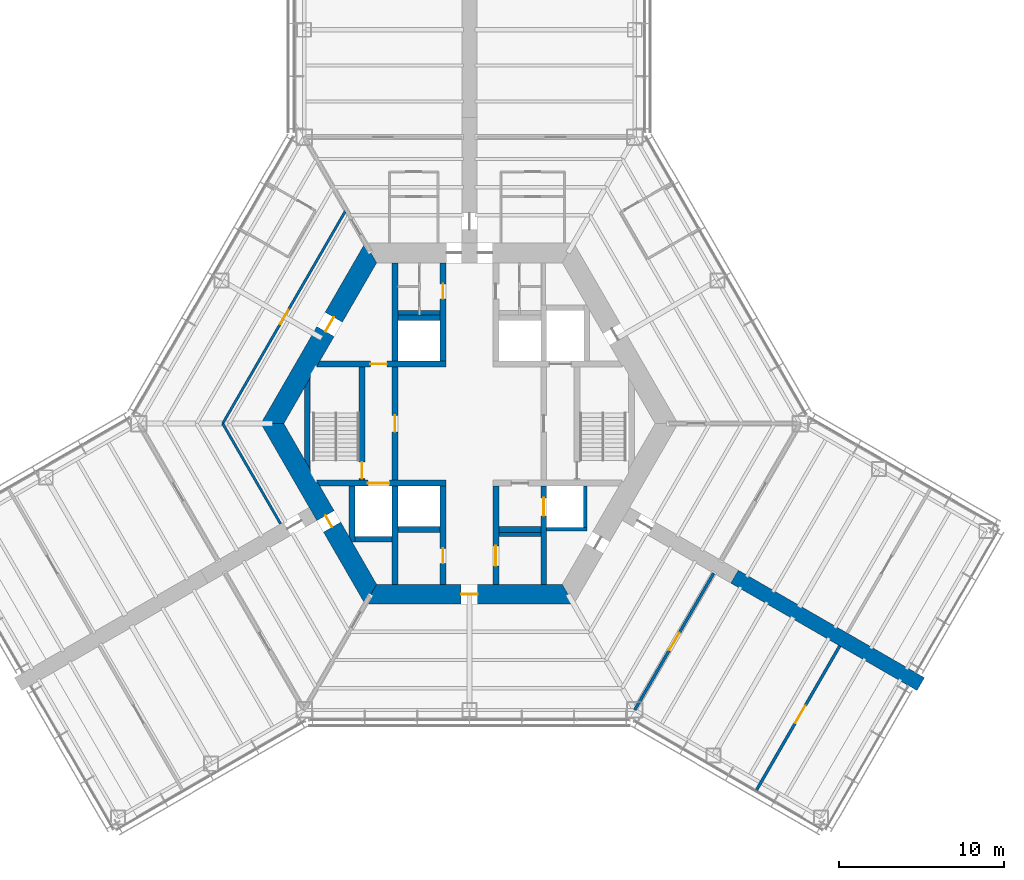
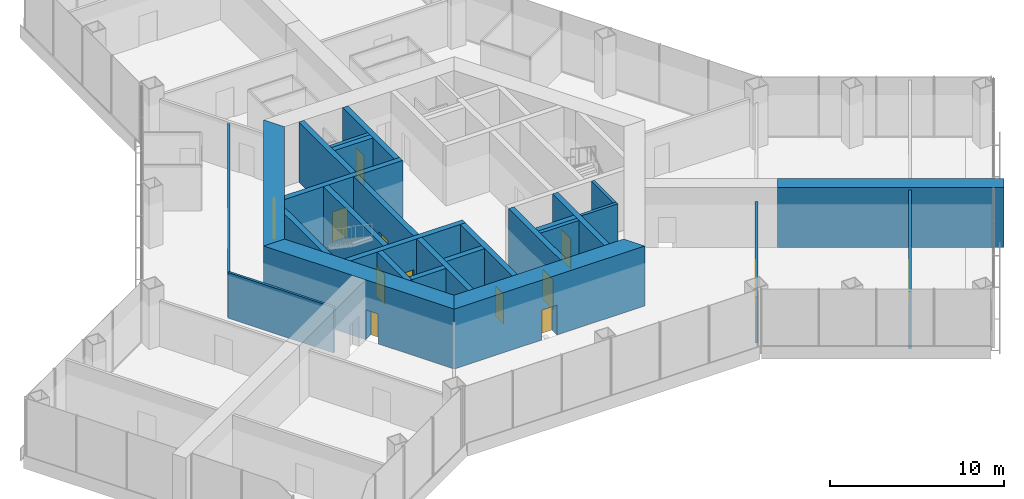
# One storey, part 11 of 16: 28 walls, 14 doors, 14 openings.
"""IFC4 building model written with IfcOpenShell, lengths in metres."""

import ifcopenshell
import ifcopenshell.guid

model = None  # the IFC model being written
_history = None  # IfcOwnerHistory: only IFC2X3 demands one
_inside = {}  # id of a spatial element -> (the spatial element, [elements in it])
_under = {}  # id of a project, library or spatial element -> (it, [spatial elements below it])
_declared = {}  # id of a project -> (the project, [libraries it declares])
_typed = {}  # id of a type object -> (the type object, [elements of that type])
_made_of = {}  # id of a material, layer set ... -> (it, [elements and type objects made of it])


def new_model(schema):
    """Start an empty IFC model of exactly this schema.

    Asked for "IFC4X3", IfcOpenShell would pick the latest addendum, in which some entities
    have other attributes; the version numbers below select the first issue.
    IFC2X3 requires an IfcOwnerHistory on every rooted entity: one is made here for all.
    """
    global model, _history
    if schema == "IFC4X3":
        model = ifcopenshell.file(schema_version=(4, 3, 0, 0))
    else:
        model = ifcopenshell.file(schema=schema)
    _inside.clear()
    _under.clear()
    _declared.clear()
    _typed.clear()
    _made_of.clear()
    _history = None
    if model.schema == "IFC2X3":
        org = make("IfcOrganization", Name="unknown")
        user = make(
            "IfcPersonAndOrganization",
            ThePerson=make("IfcPerson", FamilyName="unknown"),
            TheOrganization=org,
        )
        app = make(
            "IfcApplication",
            ApplicationDeveloper=org,
            Version="unknown",
            ApplicationFullName="unknown",
            ApplicationIdentifier="unknown",
        )
        _history = make(
            "IfcOwnerHistory",
            OwningUser=user,
            OwningApplication=app,
            ChangeAction="ADDED",
            CreationDate=0,
        )
    return model


def make(cls, **values):
    """One entity of the class cls with the attributes given. An attribute that is None is left unset."""
    return model.create_entity(
        cls, **{name: value for name, value in values.items() if value is not None}
    )


def rooted(cls, **values):
    """An entity with a GlobalId (a new one), such as an element, a storey or a relation."""
    return make(cls, GlobalId=ifcopenshell.guid.new(), OwnerHistory=_history, **values)


def si_unit(unit_type, name, prefix=None):
    """IfcSIUnit, for example si_unit("LENGTHUNIT", "METRE", prefix="MILLI")."""
    return make("IfcSIUnit", UnitType=unit_type, Prefix=prefix, Name=name)


def assignment(units):
    """IfcUnitAssignment: the units of a project."""
    return None if units is None else make("IfcUnitAssignment", Units=units)


def point(xyz):
    """IfcCartesianPoint."""
    return None if xyz is None else make("IfcCartesianPoint", Coordinates=xyz)


def direction(xyz):
    """IfcDirection."""
    return None if xyz is None else make("IfcDirection", DirectionRatios=xyz)


def frame(location, z_axis=None, x_axis=None):
    """IfcAxis2Placement3D, a coordinate frame: its origin and axes. An axis left out is left unset."""
    return make(
        "IfcAxis2Placement3D",
        Location=point(location),
        Axis=direction(z_axis),
        RefDirection=direction(x_axis),
    )


def frame_2d(location, x_axis=None):
    """IfcAxis2Placement2D, a coordinate frame in the plane: its origin and x axis."""
    return make(
        "IfcAxis2Placement2D", Location=point(location), RefDirection=direction(x_axis)
    )


def origin():
    """The frame at (0, 0, 0) with its axes left unset."""
    return frame((0.0, 0.0, 0.0))


def place(relative_to, where):
    """IfcLocalPlacement: puts the frame where relative to a parent placement (None: the world)."""
    return make(
        "IfcLocalPlacement", PlacementRelTo=relative_to, RelativePlacement=where
    )


def context(
    kind, dimensions, precision=None, world=None, true_north=None, identifier=None
):
    """IfcGeometricRepresentationContext, for example the 3D "Model" context."""
    return make(
        "IfcGeometricRepresentationContext",
        ContextIdentifier=identifier,
        ContextType=kind,
        CoordinateSpaceDimension=dimensions,
        Precision=precision,
        WorldCoordinateSystem=world,
        TrueNorth=true_north,
    )


def subcontext(parent, identifier, kind, view, scale=None):
    """IfcGeometricRepresentationSubContext, for example "Body" below "Model"."""
    return make(
        "IfcGeometricRepresentationSubContext",
        ContextIdentifier=identifier,
        ContextType=kind,
        ParentContext=parent,
        TargetScale=scale,
        TargetView=view,
    )


def project(units=None, contexts=None):
    """IfcProject with its units and contexts."""
    return rooted(
        "IfcProject",
        Name="project",
        RepresentationContexts=contexts,
        UnitsInContext=assignment(units),
    )


def spatial(cls, under=None, at=None, **own):
    """A site, building, storey or space (cls), placed at a placement, below another one or the project."""
    s = rooted(cls, ObjectPlacement=at, **own)
    if under is not None:
        _under.setdefault(under.id(), (under, []))[1].append(s)
    return s


def polyline(points):
    """IfcPolyline through the points."""
    return make("IfcPolyline", Points=[point(p) for p in points])


def profile(cls, at=None, kind="AREA", **sizes):
    """A parametric profile (cls). Its sizes go by their IFC names, for example OverallWidth=200.0."""
    return make(cls, ProfileType=kind, Position=at, **sizes)


def rectangle(**sizes):
    """IfcRectangleProfileDef."""
    return profile("IfcRectangleProfileDef", **sizes)


def outline(outer, holes=None, kind="AREA"):
    """IfcArbitraryClosedProfileDef: a profile drawn as a closed curve; with holes, ...WithVoids."""
    if holes is None:
        return make("IfcArbitraryClosedProfileDef", ProfileType=kind, OuterCurve=outer)
    return make(
        "IfcArbitraryProfileDefWithVoids",
        ProfileType=kind,
        OuterCurve=outer,
        InnerCurves=holes,
    )


def extrude(swept, where, along, depth):
    """IfcExtrudedAreaSolid: the profile swept, set in the frame where, extruded along a direction by depth."""
    return make(
        "IfcExtrudedAreaSolid",
        SweptArea=swept,
        Position=where,
        ExtrudedDirection=direction(along),
        Depth=depth,
    )


def shape(context_of_items, identifier, shape_type, items):
    """IfcShapeRepresentation: the items that make up one representation, for example the "Body"."""
    return make(
        "IfcShapeRepresentation",
        ContextOfItems=context_of_items,
        RepresentationIdentifier=identifier,
        RepresentationType=shape_type,
        Items=items,
    )


def material(Name=None, Category=None):
    """IfcMaterial."""
    return make("IfcMaterial", Name=Name, Category=Category)


def layer(
    of_material, thickness, ventilated=None, Name=None, Category=None, Priority=None
):
    """IfcMaterialLayer: one layer of a wall or slab, of a material (None: an air gap)."""
    return make(
        "IfcMaterialLayer",
        Material=of_material,
        LayerThickness=thickness,
        IsVentilated=ventilated,
        Name=Name,
        Category=Category,
        Priority=Priority,
    )


def layer_set(layers, Name=None):
    """IfcMaterialLayerSet."""
    return make("IfcMaterialLayerSet", MaterialLayers=layers, LayerSetName=Name)


def made_of(thing, what):
    """Note that an element or type object is made of a material, layer set ...; save() writes the relation."""
    if what is not None:
        _made_of.setdefault(what.id(), (what, []))[1].append(thing)
    return thing


def type_object(cls, material=None, **own):
    """A type object (cls), such as IfcWallType, which elements share."""
    return made_of(rooted(cls, **own), material)


def element(
    cls,
    number,
    at=None,
    inside=None,
    cuts=None,
    type_object=None,
    material=None,
    context=None,
    identifier="Body",
    shape_type=None,
    held_by="IfcProductDefinitionShape",
    body=None,
    shapes=None,
    **own,
):
    """One element of the class cls, such as IfcWall. Its Tag is "e" and its number.

    at: its placement. inside: the storey or other place that contains it. cuts: it is an
    opening in that element (IfcRelVoidsElement). A single representation is given by context,
    identifier, shape_type and body (its items); several are given by shapes. held_by: the class
    of the entity that holds the representations. save() writes the other relations.
    """
    e = rooted(cls, Tag="e%d" % number, ObjectPlacement=at, **own)
    if body is not None:
        shapes = [shape(context, identifier, shape_type, body)]
    if shapes is not None:
        e.Representation = make(held_by, Representations=shapes)
    if inside is not None:
        _inside.setdefault(inside.id(), (inside, []))[1].append(e)
    if cuts is not None:
        rooted(
            "IfcRelVoidsElement", RelatingBuildingElement=cuts, RelatedOpeningElement=e
        )
    if type_object is not None:
        _typed.setdefault(type_object.id(), (type_object, []))[1].append(e)
    return made_of(e, material)


def fill(opening, filler):
    """IfcRelFillsElement: the door or window that sits in an opening."""
    return rooted(
        "IfcRelFillsElement",
        RelatingOpeningElement=opening,
        RelatedBuildingElement=filler,
    )


def aggregate(whole, parts):
    """IfcRelAggregates: a whole, such as a stair, and the parts it consists of."""
    return rooted("IfcRelAggregates", RelatingObject=whole, RelatedObjects=parts)


def save(model, path):
    """Write the relations noted so far, then the file.

    IfcRelAggregates (storeys below a building ...), IfcRelContainedInSpatialStructure (elements
    in a storey), IfcRelDefinesByType, IfcRelAssociatesMaterial and IfcRelDeclares: one each for
    every whole, place, type object, material and project.
    """
    for whole, parts in _under.values():
        aggregate(whole, parts)
    for where, things in _inside.values():
        rooted(
            "IfcRelContainedInSpatialStructure",
            RelatedElements=things,
            RelatingStructure=where,
        )
    for kind, things in _typed.values():
        rooted("IfcRelDefinesByType", RelatedObjects=things, RelatingType=kind)
    for what, things in _made_of.values():
        rooted("IfcRelAssociatesMaterial", RelatedObjects=things, RelatingMaterial=what)
    for by, libraries in _declared.values():
        rooted("IfcRelDeclares", RelatingContext=by, RelatedDefinitions=libraries)
    model.write(path)


model = new_model("IFC4")

# Units and contexts
model_context = context("Model", 3, precision=1e-05, world=origin(), true_north=direction((0.0, 1.0)))
body_context = subcontext(model_context, "Body", "Model", "MODEL_VIEW")
ifc_project = project(units=[si_unit("LENGTHUNIT", "METRE"), si_unit("AREAUNIT", "SQUARE_METRE"), si_unit("VOLUMEUNIT", "CUBIC_METRE"), si_unit("PLANEANGLEUNIT", "RADIAN"), si_unit("MASSUNIT", "GRAM", prefix="KILO")], contexts=[model_context])

# Site, building, storey
site_placement = place(None, origin())
site = spatial("IfcSite", under=ifc_project, at=site_placement, CompositionType="ELEMENT")
building_placement = place(site_placement, origin())
building = spatial("IfcBuilding", under=site, at=building_placement, Name="Kasaneha Research Tower", CompositionType="ELEMENT")
storey_placement = place(building_placement, frame((0.0, 0.0, 14.199951171875)))
storey = spatial("IfcBuildingStorey", under=building, at=storey_placement, Name="L04", CompositionType="ELEMENT", Elevation=14.199951171875)

# Wall, opening, door
ifc_material_1 = material(Name="Concrete Fc100", Category="concrete")
ifc_layer_1 = layer(ifc_material_1, 0.35009765625)
ifc_layer_set_1 = layer_set([ifc_layer_1], Name="Core internal wall 350 Fc100")
wall_type_1 = type_object("IfcWallType", Name="Core internal wall 350 Fc100", PredefinedType="SHEAR", material=ifc_layer_set_1)
wall_1_placement = place(storey_placement, frame((-9.151123046875, 3.60009765625, 0.0), z_axis=(0.0, 0.0, 1.0), x_axis=(1.0, 0.0, 0.0)))
wall_1 = element("IfcWall", 1, at=wall_1_placement, inside=storey, type_object=wall_type_1, Name="Core wall W1W L04", PredefinedType="SHEAR", context=body_context, shape_type="SweptSolid", body=[
    extrude(outline(polyline([(-0.10107421875, -0.175048828125), (3.151123046875, -0.175048828125), (4.151123046875, -0.175048828125), (7.72607421875, -0.175048828125), (7.72607421875, 0.175048828125), (4.151123046875, 0.175048828125), (3.151123046875, 0.175048828125), (0.10107421875, 0.175048828125), (-0.10107421875, -0.175048828125)])), origin(), (0.0, 0.0, 1.0), 4.199951171875),
])
opening_1_placement = place(wall_1_placement, frame((3.151123046875, 0.0, 0.0)))
opening_1 = element("IfcOpeningElement", 2, at=opening_1_placement, cuts=wall_1, Name="Opening L04-D12", PredefinedType="OPENING", context=body_context, shape_type="SweptSolid", body=[
    extrude(rectangle(XDim=1.0, YDim=2.10009765625, at=frame_2d((0.5, 1.050048828125))), frame((0.0, 0.18505859375, 0.0), z_axis=(0.0, -1.0, 0.0), x_axis=(1.0, 0.0, 0.0)), (0.0, 0.0, 1.0), 0.3701171875),
])
ifc_material_2 = material(Name="Steel", Category="steel")
door_type_1 = type_object("IfcDoorType", Name="Specified fire door FD60 1000x2100", OperationType="NOTDEFINED", PredefinedType="DOOR", material=ifc_material_2)
door_1_placement = place(opening_1_placement, origin())
door_1 = element("IfcDoor", 3, at=door_1_placement, inside=storey, type_object=door_type_1, Name="Vestibule to lobby door L04-D12", OperationType="SINGLE_SWING_LEFT", OverallHeight=2.10009765625, OverallWidth=1.0, PredefinedType="DOOR", context=body_context, shape_type="SweptSolid", body=[
    extrude(rectangle(XDim=1.0, YDim=2.10009765625, at=frame_2d((0.5, 1.050048828125))), frame((0.0, 0.02490234375, 0.0), z_axis=(0.0, -1.0, 0.0), x_axis=(1.0, 0.0, 0.0)), (0.0, 0.0, 1.0), 0.050048828125),
])
fill(opening_1, door_1)

wall_2_placement = place(storey_placement, frame((-9.151123046875, -3.60009765625, 0.0), z_axis=(0.0, 0.0, 1.0), x_axis=(1.0, 0.0, 0.0)))
wall_2 = element("IfcWall", 4, at=wall_2_placement, inside=storey, type_object=wall_type_1, Name="Core wall W2W L04", PredefinedType="SHEAR", context=body_context, shape_type="SweptSolid", body=[
    extrude(outline(polyline([(0.10107421875, -0.175048828125), (3.0009765625, -0.175048828125), (4.301025390625, -0.175048828125), (7.72607421875, -0.175048828125), (7.72607421875, 0.175048828125), (4.301025390625, 0.175048828125), (3.0009765625, 0.175048828125), (-0.10107421875, 0.175048828125), (0.10107421875, -0.175048828125)])), origin(), (0.0, 0.0, 1.0), 4.199951171875),
])
opening_2_placement = place(wall_2_placement, frame((3.0009765625, 0.0, 0.0)))
opening_2 = element("IfcOpeningElement", 5, at=opening_2_placement, cuts=wall_2, Name="Opening LD-FL2-L04", PredefinedType="OPENING", context=body_context, shape_type="SweptSolid", body=[
    extrude(rectangle(XDim=1.300048828125, YDim=2.10009765625, at=frame_2d((0.64990234375, 1.050048828125))), frame((0.0, 0.18505859375, 0.0), z_axis=(0.0, -1.0, 0.0), x_axis=(1.0, 0.0, 0.0)), (0.0, 0.0, 1.0), 0.3701171875),
])
ifc_material_3 = material(Name="Steel", Category="steel")
door_type_2 = type_object("IfcDoorType", Name="Lift landing door 1300x2100", OperationType="DOUBLE_DOOR_SLIDING", PredefinedType="DOOR", material=ifc_material_3)
door_2_placement = place(opening_2_placement, origin())
door_2 = element("IfcDoor", 6, at=door_2_placement, inside=storey, type_object=door_type_2, Name="Landing door FL2 LD-FL2-L04", OperationType="DOUBLE_DOOR_SLIDING", OverallHeight=2.10009765625, OverallWidth=1.300048828125, PredefinedType="DOOR", context=body_context, shape_type="SweptSolid", body=[
    extrude(rectangle(XDim=1.300048828125, YDim=2.10009765625, at=frame_2d((0.64990234375, 1.050048828125))), frame((0.0, 0.02490234375, 0.0), z_axis=(0.0, -1.0, 0.0), x_axis=(1.0, 0.0, 0.0)), (0.0, 0.0, 1.0), 0.050048828125),
])
fill(opening_2, door_2)

wall_3_placement = place(storey_placement, frame((-1.60009765625, 3.77490234375, 0.0), z_axis=(0.0, 0.0, 1.0), x_axis=(0.0, 1.0, 0.0)))
wall_3 = element("IfcWall", 7, at=wall_3_placement, inside=storey, type_object=wall_type_1, Name="Core wall CNW L04", PredefinedType="SHEAR", context=body_context, shape_type="SweptSolid", body=[
    extrude(rectangle(XDim=5.9501953125, YDim=0.35009765625, at=frame_2d((2.97509765625, 0.0))), origin(), (0.0, 0.0, 1.0), 4.199951171875),
])
opening_3_placement = place(wall_3_placement, frame((3.77490234375, 0.0, 0.0)))
opening_3 = element("IfcOpeningElement", 8, at=opening_3_placement, cuts=wall_3, Name="Opening L04-D13", PredefinedType="OPENING", context=body_context, shape_type="SweptSolid", body=[
    extrude(rectangle(XDim=0.89990234375, YDim=2.10009765625, at=frame_2d((0.449951171875, 1.050048828125))), frame((0.0, 0.18505859375, 0.0), z_axis=(0.0, -1.0, 0.0), x_axis=(1.0, 0.0, 0.0)), (0.0, 0.0, 1.0), 0.3701171875),
])
ifc_material_4 = material(Name="Steel", Category="steel")
door_type_3 = type_object("IfcDoorType", Name="Toilet door FD20 900x2100", OperationType="NOTDEFINED", PredefinedType="DOOR", material=ifc_material_4)
door_3_placement = place(opening_3_placement, origin())
door_3 = element("IfcDoor", 9, at=door_3_placement, inside=storey, type_object=door_type_3, Name="Men's WC door L04-D13", OperationType="SINGLE_SWING_LEFT", OverallHeight=2.10009765625, OverallWidth=0.89990234375, PredefinedType="DOOR", context=body_context, shape_type="SweptSolid", body=[
    extrude(rectangle(XDim=0.89990234375, YDim=2.10009765625, at=frame_2d((0.449951171875, 1.050048828125))), frame((0.0, 0.02490234375, 0.0), z_axis=(0.0, -1.0, 0.0), x_axis=(1.0, 0.0, 0.0)), (0.0, 0.0, 1.0), 0.050048828125),
])
fill(opening_3, door_3)

wall_4_placement = place(storey_placement, frame((-1.60009765625, -3.77490234375, 0.0), z_axis=(0.0, 0.0, 1.0), x_axis=(0.0, -1.0, 0.0)))
wall_4 = element("IfcWall", 10, at=wall_4_placement, inside=storey, type_object=wall_type_1, Name="Core wall CSW L04", PredefinedType="SHEAR", context=body_context, shape_type="SweptSolid", body=[
    extrude(rectangle(XDim=5.9501953125, YDim=0.35009765625, at=frame_2d((2.97509765625, 0.0))), origin(), (0.0, 0.0, 1.0), 4.199951171875),
])
opening_4_placement = place(wall_4_placement, frame((3.77490234375, 0.0, 0.0)))
opening_4 = element("IfcOpeningElement", 11, at=opening_4_placement, cuts=wall_4, Name="Opening L04-D16", PredefinedType="OPENING", context=body_context, shape_type="SweptSolid", body=[
    extrude(rectangle(XDim=0.89990234375, YDim=2.10009765625, at=frame_2d((0.449951171875, 1.050048828125))), frame((0.0, 0.18505859375, 0.0), z_axis=(0.0, -1.0, 0.0), x_axis=(1.0, 0.0, 0.0)), (0.0, 0.0, 1.0), 0.3701171875),
])
ifc_material_5 = material(Name="Steel", Category="steel")
door_type_4 = type_object("IfcDoorType", Name="Riser access door FD60 900x2100", OperationType="NOTDEFINED", PredefinedType="DOOR", material=ifc_material_5)
door_4_placement = place(opening_4_placement, origin())
door_4 = element("IfcDoor", 12, at=door_4_placement, inside=storey, type_object=door_type_4, Name="Electrical riser door L04-D16", OperationType="SINGLE_SWING_LEFT", OverallHeight=2.10009765625, OverallWidth=0.89990234375, PredefinedType="DOOR", context=body_context, shape_type="SweptSolid", body=[
    extrude(rectangle(XDim=0.89990234375, YDim=2.10009765625, at=frame_2d((0.449951171875, 1.050048828125))), frame((0.0, 0.02490234375, 0.0), z_axis=(0.0, -1.0, 0.0), x_axis=(1.0, 0.0, 0.0)), (0.0, 0.0, 1.0), 0.050048828125),
])
fill(opening_4, door_4)

wall_5_placement = place(storey_placement, frame((1.60009765625, -3.77490234375, 0.0), z_axis=(0.0, 0.0, 1.0), x_axis=(0.0, -1.0, 0.0)))
wall_5 = element("IfcWall", 13, at=wall_5_placement, inside=storey, type_object=wall_type_1, Name="Core wall CSE L04", PredefinedType="SHEAR", context=body_context, shape_type="SweptSolid", body=[
    extrude(rectangle(XDim=5.9501953125, YDim=0.35009765625, at=frame_2d((2.97509765625, 0.0))), origin(), (0.0, 0.0, 1.0), 4.199951171875),
])
opening_5_placement = place(wall_5_placement, frame((3.625, 0.0, 0.0)))
opening_5 = element("IfcOpeningElement", 14, at=opening_5_placement, cuts=wall_5, Name="Opening L04-D15", PredefinedType="OPENING", context=body_context, shape_type="SweptSolid", body=[
    extrude(rectangle(XDim=1.199951171875, YDim=2.10009765625, at=frame_2d((0.60009765625, 1.050048828125))), frame((0.0, 0.18505859375, 0.0), z_axis=(0.0, -1.0, 0.0), x_axis=(1.0, 0.0, 0.0)), (0.0, 0.0, 1.0), 0.3701171875),
])
ifc_material_6 = material(Name="Steel", Category="steel")
door_type_5 = type_object("IfcDoorType", Name="Accessible toilet sliding door FD20 1200x2100", OperationType="SLIDING_TO_LEFT", PredefinedType="DOOR", material=ifc_material_6)
door_5_placement = place(opening_5_placement, origin())
door_5 = element("IfcDoor", 15, at=door_5_placement, inside=storey, type_object=door_type_5, Name="Accessible WC door L04-D15", OperationType="SLIDING_TO_LEFT", OverallHeight=2.10009765625, OverallWidth=1.199951171875, PredefinedType="DOOR", context=body_context, shape_type="SweptSolid", body=[
    extrude(rectangle(XDim=1.199951171875, YDim=2.10009765625, at=frame_2d((0.60009765625, 1.050048828125))), frame((0.0, 0.02490234375, 0.0), z_axis=(0.0, -1.0, 0.0), x_axis=(1.0, 0.0, 0.0)), (0.0, 0.0, 1.0), 0.050048828125),
])
fill(opening_5, door_5)

wall_6_placement = place(storey_placement, frame((-4.5, -3.425048828125, 0.0), z_axis=(0.0, 0.0, 1.0), x_axis=(0.0, 1.0, 0.0)))
wall_6 = element("IfcWall", 16, at=wall_6_placement, inside=storey, type_object=wall_type_1, Name="Core wall LBW L04", PredefinedType="SHEAR", context=body_context, shape_type="SweptSolid", body=[
    extrude(rectangle(XDim=6.85009765625, YDim=0.35009765625, at=frame_2d((3.425048828125, 0.0))), origin(), (0.0, 0.0, 1.0), 4.199951171875),
])
opening_6_placement = place(wall_6_placement, frame((2.925048828125, 0.0, 0.0)))
opening_6 = element("IfcOpeningElement", 17, at=opening_6_placement, cuts=wall_6, Name="Opening L04-D09", PredefinedType="OPENING", context=body_context, shape_type="SweptSolid", body=[
    extrude(rectangle(XDim=1.0, YDim=2.10009765625, at=frame_2d((0.5, 1.050048828125))), frame((0.0, 0.18505859375, 0.0), z_axis=(0.0, -1.0, 0.0), x_axis=(1.0, 0.0, 0.0)), (0.0, 0.0, 1.0), 0.3701171875),
])
door_6_placement = place(opening_6_placement, origin())
door_6 = element("IfcDoor", 18, at=door_6_placement, inside=storey, type_object=door_type_1, Name="Lift lobby door west L04-D09", OperationType="SINGLE_SWING_LEFT", OverallHeight=2.10009765625, OverallWidth=1.0, PredefinedType="DOOR", context=body_context, shape_type="SweptSolid", body=[
    extrude(rectangle(XDim=1.0, YDim=2.10009765625, at=frame_2d((0.5, 1.050048828125))), frame((0.0, 0.02490234375, 0.0), z_axis=(0.0, -1.0, 0.0), x_axis=(1.0, 0.0, 0.0)), (0.0, 0.0, 1.0), 0.050048828125),
])
fill(opening_6, door_6)

wall_7_placement = place(storey_placement, frame((-6.5, -3.425048828125, 0.0), z_axis=(0.0, 0.0, 1.0), x_axis=(0.0, 1.0, 0.0)))
wall_7 = element("IfcWall", 19, at=wall_7_placement, inside=storey, type_object=wall_type_1, Name="Core wall ANW L04", PredefinedType="SHEAR", context=body_context, shape_type="SweptSolid", body=[
    extrude(rectangle(XDim=6.85009765625, YDim=0.35009765625, at=frame_2d((3.425048828125, 0.0))), origin(), (0.0, 0.0, 1.0), 4.199951171875),
])
opening_7_placement = place(wall_7_placement, frame((0.10009765625, 0.0, 0.0)))
opening_7 = element("IfcOpeningElement", 20, at=opening_7_placement, cuts=wall_7, Name="Opening L04-D11", PredefinedType="OPENING", context=body_context, shape_type="SweptSolid", body=[
    extrude(rectangle(XDim=1.0, YDim=2.10009765625, at=frame_2d((0.5, 1.050048828125))), frame((0.0, 0.18505859375, 0.0), z_axis=(0.0, -1.0, 0.0), x_axis=(1.0, 0.0, 0.0)), (0.0, 0.0, 1.0), 0.3701171875),
])
door_7_placement = place(opening_7_placement, origin())
door_7 = element("IfcDoor", 21, at=door_7_placement, inside=storey, type_object=door_type_1, Name="Stair 2 door L04-D11", OperationType="SINGLE_SWING_LEFT", OverallHeight=2.10009765625, OverallWidth=1.0, PredefinedType="DOOR", context=body_context, shape_type="SweptSolid", body=[
    extrude(rectangle(XDim=1.0, YDim=2.10009765625, at=frame_2d((0.5, 1.050048828125))), frame((0.0, 0.02490234375, 0.0), z_axis=(0.0, -1.0, 0.0), x_axis=(1.0, 0.0, 0.0)), (0.0, 0.0, 1.0), 0.050048828125),
])
fill(opening_7, door_7)

# Walls
for number, where, z_axis, x_axis, name in (
    (22, (-4.5, 3.77490234375, 0.0), (0.0, 0.0, 1.0), (0.0, 1.0, 0.0), "Core wall VNW L04"),
    (23, (-4.5, -3.77490234375, 0.0), (0.0, 0.0, 1.0), (0.0, -1.0, 0.0), "Core wall SSW L04"),
):
    element("IfcWall", number, at=place(storey_placement, frame(where, z_axis=z_axis, x_axis=x_axis)), inside=storey, type_object=wall_type_1, Name=name, PredefinedType="SHEAR", context=body_context, shape_type="SweptSolid", body=[
        extrude(rectangle(XDim=5.9501953125, YDim=0.35009765625, at=frame_2d((2.97509765625, 0.0))), origin(), (0.0, 0.0, 1.0), 4.199951171875),
    ])

# Wall, opening, door
wall_8_placement = place(storey_placement, frame((4.5, -3.77490234375, 0.0), z_axis=(0.0, 0.0, 1.0), x_axis=(0.0, -1.0, 0.0)))
wall_8 = element("IfcWall", 24, at=wall_8_placement, inside=storey, type_object=wall_type_1, Name="Core wall SSE L04", PredefinedType="SHEAR", context=body_context, shape_type="SweptSolid", body=[
    extrude(rectangle(XDim=5.9501953125, YDim=0.35009765625, at=frame_2d((2.97509765625, 0.0))), origin(), (0.0, 0.0, 1.0), 4.199951171875),
])
opening_8_placement = place(wall_8_placement, frame((0.71240234375, 0.0, 0.0)))
opening_8 = element("IfcOpeningElement", 25, at=opening_8_placement, cuts=wall_8, Name="Opening LD-PL1-L04", PredefinedType="OPENING", context=body_context, shape_type="SweptSolid", body=[
    extrude(rectangle(XDim=1.10009765625, YDim=2.10009765625, at=frame_2d((0.550048828125, 1.050048828125))), frame((0.0, 0.18505859375, 0.0), z_axis=(0.0, -1.0, 0.0), x_axis=(1.0, 0.0, 0.0)), (0.0, 0.0, 1.0), 0.3701171875),
])
ifc_material_7 = material(Name="Steel", Category="steel")
door_type_6 = type_object("IfcDoorType", Name="Lift landing door 1100x2100", OperationType="DOUBLE_DOOR_SLIDING", PredefinedType="DOOR", material=ifc_material_7)
door_8_placement = place(opening_8_placement, origin())
door_8 = element("IfcDoor", 26, at=door_8_placement, inside=storey, type_object=door_type_6, Name="Landing door PL1 LD-PL1-L04", OperationType="DOUBLE_DOOR_SLIDING", OverallHeight=2.10009765625, OverallWidth=1.10009765625, PredefinedType="DOOR", context=body_context, shape_type="SweptSolid", body=[
    extrude(rectangle(XDim=1.10009765625, YDim=2.10009765625, at=frame_2d((0.550048828125, 1.050048828125))), frame((0.0, 0.02490234375, 0.0), z_axis=(0.0, -1.0, 0.0), x_axis=(1.0, 0.0, 0.0)), (0.0, 0.0, 1.0), 0.050048828125),
])
fill(opening_8, door_8)

# Walls
for number, where, z_axis, x_axis, name in (
    (27, (-4.324951171875, 6.39990234375, 0.0), (0.0, 0.0, 1.0), (1.0, 0.0, 0.0), "Core wall N1N L04"),
    (28, (-4.324951171875, -6.39990234375, 0.0), (0.0, 0.0, 1.0), (1.0, 0.0, 0.0), "Core wall S1S L04"),
    (29, (1.77490234375, -6.39990234375, 0.0), (0.0, 0.0, 1.0), (1.0, 0.0, 0.0), "Core wall S3S L04"),
):
    element("IfcWall", number, at=place(storey_placement, frame(where, z_axis=z_axis, x_axis=x_axis)), inside=storey, type_object=wall_type_1, Name=name, PredefinedType="SHEAR", context=body_context, shape_type="SweptSolid", body=[
        extrude(rectangle(XDim=2.550048828125, YDim=0.35009765625, at=frame_2d((1.27490234375, 0.0))), origin(), (0.0, 0.0, 1.0), 4.199951171875),
    ])
wall_9_placement = place(storey_placement, frame((-6.925048828125, -7.0, 0.0), z_axis=(0.0, 0.0, 1.0), x_axis=(1.0, 0.0, 0.0)))
element("IfcWall", 30, at=wall_9_placement, inside=storey, type_object=wall_type_1, Name="Core wall F2S L04", PredefinedType="SHEAR", context=body_context, shape_type="SweptSolid", body=[
    extrude(rectangle(XDim=2.25, YDim=0.35009765625, at=frame_2d((1.125, 0.0))), origin(), (0.0, 0.0, 1.0), 4.199951171875),
])
wall_10_placement = place(storey_placement, frame((-7.10009765625, -3.77490234375, 0.0), z_axis=(0.0, 0.0, 1.0), x_axis=(0.0, -1.0, 0.0)))
element("IfcWall", 31, at=wall_10_placement, inside=storey, type_object=wall_type_1, Name="Core wall F2W L04", PredefinedType="SHEAR", context=body_context, shape_type="SweptSolid", body=[
    extrude(outline(polyline([(0.0, -0.175048828125), (3.07421875, -0.175048828125), (3.37744140625, 0.0), (3.39990234375, 0.175048828125), (0.0, 0.175048828125), (0.0, -0.175048828125)])), origin(), (0.0, 0.0, 1.0), 4.199951171875),
])
wall_11_placement = place(storey_placement, frame((-9.807861328125, -2.462158203125, 0.0), z_axis=(0.0, 0.0, 1.0), x_axis=(0.0, 1.0, 0.0)))
element("IfcWall", 32, at=wall_11_placement, inside=storey, type_object=wall_type_1, Name="Core wall STW L04", PredefinedType="SHEAR", context=body_context, shape_type="SweptSolid", body=[
    extrude(outline(polyline([(-0.30322265625, -0.175048828125), (5.2275390625, -0.175048828125), (4.62109375, 0.175048828125), (0.30322265625, 0.175048828125), (-0.30322265625, -0.175048828125)])), origin(), (0.0, 0.0, 1.0), 4.199951171875),
])

# Wall, opening, door
ifc_material_8 = material(Name="Concrete Fc100", Category="concrete")
ifc_layer_2 = layer(ifc_material_8, 1.199951171875)
ifc_layer_set_2 = layer_set([ifc_layer_2], Name="Core wall 1200 Fc100")
wall_type_2 = type_object("IfcWallType", Name="Core wall 1200 Fc100", PredefinedType="SHEAR", material=ifc_layer_set_2)
wall_12_placement = place(storey_placement, frame((-5.961181640625, 10.324951171875, 0.0), z_axis=(0.0, 0.0, 1.0), x_axis=(-0.500004296715, -0.866022923061, 0.0)))
wall_12 = element("IfcWall", 33, at=wall_12_placement, inside=storey, type_object=wall_type_2, Name="Core wall 150 L04", PredefinedType="SHEAR", context=body_context, shape_type="SweptSolid", body=[
    extrude(outline(polyline([(-0.346435546875, -0.60009765625), (4.494140625, -0.60009765625), (5.494140625, -0.60009765625), (12.268798828125, -0.60009765625), (11.575927734375, 0.60009765625), (5.494140625, 0.60009765625), (4.494140625, 0.60009765625), (0.346435546875, 0.60009765625), (-0.346435546875, -0.60009765625)])), origin(), (0.0, 0.0, 1.0), 4.199951171875),
])
opening_9_placement = place(wall_12_placement, frame((4.494140625, 0.0, 0.0)))
opening_9 = element("IfcOpeningElement", 34, at=opening_9_placement, cuts=wall_12, Name="Opening L04-D07", PredefinedType="OPENING", context=body_context, shape_type="SweptSolid", body=[
    extrude(rectangle(XDim=1.0, YDim=2.10009765625, at=frame_2d((0.5, 1.050048828125))), frame((0.0, 0.60986328125, 0.0), z_axis=(0.0, -1.0, 0.0), x_axis=(1.0, 0.0, 0.0)), (0.0, 0.0, 1.0), 1.219970703125),
])
ifc_material_9 = material(Name="Steel", Category="steel")
door_type_7 = type_object("IfcDoorType", Name="Fire door FD20 1000x2100", OperationType="NOTDEFINED", PredefinedType="DOOR", material=ifc_material_9)
door_9_placement = place(opening_9_placement, origin())
door_9 = element("IfcDoor", 35, at=door_9_placement, inside=storey, type_object=door_type_7, Name="Vestibule door L04-D07", OperationType="SINGLE_SWING_LEFT", OverallHeight=2.10009765625, OverallWidth=1.0, PredefinedType="DOOR", context=body_context, shape_type="SweptSolid", body=[
    extrude(rectangle(XDim=1.0, YDim=2.10009765625, at=frame_2d((0.5, 1.050048828125))), frame((0.0, 0.02490234375, 0.0), z_axis=(0.0, -1.0, 0.0), x_axis=(1.0, 0.0, 0.0)), (0.0, 0.0, 1.0), 0.050048828125),
])
fill(opening_9, door_9)

wall_13_placement = place(storey_placement, frame((-11.92236328125, 0.0, 0.0), z_axis=(0.0, 0.0, 1.0), x_axis=(0.500004296715, -0.866022923061, 0.0)))
wall_13 = element("IfcWall", 36, at=wall_13_placement, inside=storey, type_object=wall_type_2, Name="Core wall 210 L04", PredefinedType="SHEAR", context=body_context, shape_type="SweptSolid", body=[
    extrude(outline(polyline([(-0.346435546875, -0.60009765625), (6.43115234375, -0.60009765625), (7.231201171875, -0.60009765625), (12.268798828125, -0.60009765625), (11.575927734375, 0.60009765625), (7.231201171875, 0.60009765625), (6.43115234375, 0.60009765625), (0.346435546875, 0.60009765625), (-0.346435546875, -0.60009765625)])), origin(), (0.0, 0.0, 1.0), 4.199951171875),
])
opening_10_placement = place(wall_13_placement, frame((6.43115234375, 0.0, 0.0)))
opening_10 = element("IfcOpeningElement", 37, at=opening_10_placement, cuts=wall_13, Name="Opening L04-D06", PredefinedType="OPENING", context=body_context, shape_type="SweptSolid", body=[
    extrude(rectangle(XDim=0.800048828125, YDim=2.10009765625, at=frame_2d((0.39990234375, 1.050048828125))), frame((0.0, 0.60986328125, 0.0), z_axis=(0.0, -1.0, 0.0), x_axis=(1.0, 0.0, 0.0)), (0.0, 0.0, 1.0), 1.219970703125),
])
ifc_material_10 = material(Name="Steel", Category="steel")
door_type_8 = type_object("IfcDoorType", Name="Riser access door FD60 800x2100", OperationType="NOTDEFINED", PredefinedType="DOOR", material=ifc_material_10)
door_10_placement = place(opening_10_placement, origin())
door_10 = element("IfcDoor", 38, at=door_10_placement, inside=storey, type_object=door_type_8, Name="Duct riser door L04-D06", OperationType="SINGLE_SWING_RIGHT", OverallHeight=2.10009765625, OverallWidth=0.800048828125, PredefinedType="DOOR", context=body_context, shape_type="SweptSolid", body=[
    extrude(rectangle(XDim=0.800048828125, YDim=2.10009765625, at=frame_2d((0.39990234375, 1.050048828125))), frame((0.0, 0.02490234375, 0.0), z_axis=(0.0, -1.0, 0.0), x_axis=(1.0, 0.0, 0.0)), (0.0, 0.0, 1.0), 0.050048828125),
])
fill(opening_10, door_10)

wall_14_placement = place(storey_placement, frame((-5.961181640625, -10.324951171875, 0.0), z_axis=(0.0, 0.0, 1.0), x_axis=(1.0, 0.0, 0.0)))
wall_14 = element("IfcWall", 39, at=wall_14_placement, inside=storey, type_object=wall_type_2, Name="Core wall 270 L04", PredefinedType="SHEAR", context=body_context, shape_type="SweptSolid", body=[
    extrude(outline(polyline([(-0.346435546875, -0.60009765625), (5.461181640625, -0.60009765625), (6.461181640625, -0.60009765625), (12.268798828125, -0.60009765625), (11.575927734375, 0.60009765625), (6.461181640625, 0.60009765625), (5.461181640625, 0.60009765625), (0.346435546875, 0.60009765625), (-0.346435546875, -0.60009765625)])), origin(), (0.0, 0.0, 1.0), 4.199951171875),
])
opening_11_placement = place(wall_14_placement, frame((5.461181640625, 0.0, 0.0)))
opening_11 = element("IfcOpeningElement", 40, at=opening_11_placement, cuts=wall_14, Name="Opening L04-D03", PredefinedType="OPENING", context=body_context, shape_type="SweptSolid", body=[
    extrude(rectangle(XDim=1.0, YDim=2.10009765625, at=frame_2d((0.5, 1.050048828125))), frame((0.0, 0.60986328125, 0.0), z_axis=(0.0, -1.0, 0.0), x_axis=(1.0, 0.0, 0.0)), (0.0, 0.0, 1.0), 1.219970703125),
])
door_11_placement = place(opening_11_placement, origin())
door_11 = element("IfcDoor", 41, at=door_11_placement, inside=storey, type_object=door_type_7, Name="Core door south L04-D03", OperationType="SINGLE_SWING_LEFT", OverallHeight=2.10009765625, OverallWidth=1.0, PredefinedType="DOOR", context=body_context, shape_type="SweptSolid", body=[
    extrude(rectangle(XDim=1.0, YDim=2.10009765625, at=frame_2d((0.5, 1.050048828125))), frame((0.0, 0.02490234375, 0.0), z_axis=(0.0, -1.0, 0.0), x_axis=(1.0, 0.0, 0.0)), (0.0, 0.0, 1.0), 0.050048828125),
])
fill(opening_11, door_11)

ifc_material_11 = material(Name="Gypsum board on steel studs, two layers each side", Category="steel")
ifc_layer_3 = layer(ifc_material_11, 0.175048828125)
ifc_layer_set_3 = layer_set([ifc_layer_3], Name="Laboratory fire partition 175")
wall_type_3 = type_object("IfcWallType", Name="Laboratory fire partition 175", PredefinedType="PARTITIONING", material=ifc_layer_set_3)
wall_15_placement = place(storey_placement, frame((14.77490234375, -9.050048828125, 0.0), z_axis=(0.0, 0.0, 1.0), x_axis=(-0.499993908199, -0.866028920859, 0.0)))
wall_15 = element("IfcWall", 42, at=wall_15_placement, inside=storey, type_object=wall_type_3, Name="Laboratory fire partition LABC-S L04", PredefinedType="PARTITIONING", context=body_context, shape_type="SweptSolid", body=[
    extrude(rectangle(XDim=9.5498046875, YDim=0.175048828125, at=frame_2d((4.77490234375, 0.0))), origin(), (0.0, 0.0, 1.0), 3.2080078125),
])
opening_12_placement = place(wall_15_placement, frame((4.175048828125, 0.0, 0.0)))
opening_12 = element("IfcOpeningElement", 43, at=opening_12_placement, cuts=wall_15, Name="Opening L04-D44", PredefinedType="OPENING", context=body_context, shape_type="SweptSolid", body=[
    extrude(rectangle(XDim=1.199951171875, YDim=2.10009765625, at=frame_2d((0.60009765625, 1.050048828125))), frame((0.0, 0.09765625, 0.0), z_axis=(0.0, -1.0, 0.0), x_axis=(1.0, 0.0, 0.0)), (0.0, 0.0, 1.0), 0.195068359375),
])
ifc_material_12 = material(Name="Steel", Category="steel")
door_type_9 = type_object("IfcDoorType", Name="Laboratory door FD60 1200x2100", OperationType="DOUBLE_DOOR_SINGLE_SWING", PredefinedType="DOOR", material=ifc_material_12)
door_12_placement = place(opening_12_placement, origin())
door_12 = element("IfcDoor", 44, at=door_12_placement, inside=storey, type_object=door_type_9, Name="Laboratory door L04-D44", OperationType="DOUBLE_DOOR_SINGLE_SWING", OverallHeight=2.10009765625, OverallWidth=1.199951171875, PredefinedType="DOOR", context=body_context, shape_type="SweptSolid", body=[
    extrude(rectangle(XDim=1.199951171875, YDim=2.10009765625, at=frame_2d((0.60009765625, 1.050048828125))), frame((0.0, 0.02490234375, 0.0), z_axis=(0.0, -1.0, 0.0), x_axis=(1.0, 0.0, 0.0)), (0.0, 0.0, 1.0), 0.050048828125),
])
fill(opening_12, door_12)

wall_16_placement = place(storey_placement, frame((22.39599609375, -13.449951171875, 0.0), z_axis=(0.0, 0.0, 1.0), x_axis=(-0.500005203629, -0.866022399447, 0.0)))
wall_16 = element("IfcWall", 45, at=wall_16_placement, inside=storey, type_object=wall_type_3, Name="Laboratory fire partition SUPC-S L04", PredefinedType="PARTITIONING", context=body_context, shape_type="SweptSolid", body=[
    extrude(rectangle(XDim=10.14013671875, YDim=0.175048828125, at=frame_2d((5.070068359375, 0.0))), origin(), (0.0, 0.0, 1.0), 4.0),
])
opening_13_placement = place(wall_16_placement, frame((4.175048828125, 0.0, 0.0)))
opening_13 = element("IfcOpeningElement", 46, at=opening_13_placement, cuts=wall_16, Name="Opening L04-D45", PredefinedType="OPENING", context=body_context, shape_type="SweptSolid", body=[
    extrude(rectangle(XDim=1.199951171875, YDim=2.10009765625, at=frame_2d((0.60009765625, 1.050048828125))), frame((0.0, 0.09765625, 0.0), z_axis=(0.0, -1.0, 0.0), x_axis=(1.0, 0.0, 0.0)), (0.0, 0.0, 1.0), 0.195068359375),
])
door_13_placement = place(opening_13_placement, origin())
door_13 = element("IfcDoor", 47, at=door_13_placement, inside=storey, type_object=door_type_9, Name="Laboratory support room door L04-D45", OperationType="DOUBLE_DOOR_SINGLE_SWING", OverallHeight=2.10009765625, OverallWidth=1.199951171875, PredefinedType="DOOR", context=body_context, shape_type="SweptSolid", body=[
    extrude(rectangle(XDim=1.199951171875, YDim=2.10009765625, at=frame_2d((0.60009765625, 1.050048828125))), frame((0.0, 0.02490234375, 0.0), z_axis=(0.0, -1.0, 0.0), x_axis=(1.0, 0.0, 0.0)), (0.0, 0.0, 1.0), 0.050048828125),
])
fill(opening_13, door_13)

# Walls
ifc_material_13 = material(Name="Concrete block", Category="concrete")
ifc_layer_4 = layer(ifc_material_13, 0.199951171875)
ifc_layer_set_4 = layer_set([ifc_layer_4], Name="Lift shaft wall 200")
wall_type_4 = type_object("IfcWallType", Name="Lift shaft wall 200", PredefinedType="STANDARD", material=ifc_layer_set_4)
wall_17_placement = place(storey_placement, frame((4.675048828125, -6.39990234375, 0.0), z_axis=(0.0, 0.0, 1.0), x_axis=(1.0, 0.0, 0.0)))
element("IfcWall", 48, at=wall_17_placement, inside=storey, type_object=wall_type_4, Name="Lift shaft wall P1S L04", PredefinedType="STANDARD", context=body_context, shape_type="SweptSolid", body=[
    extrude(rectangle(XDim=2.425048828125, YDim=0.199951171875, at=frame_2d((1.21240234375, 0.0))), origin(), (0.0, 0.0, 1.0), 4.199951171875),
])
wall_18_placement = place(storey_placement, frame((7.0, -3.77490234375, 0.0), z_axis=(0.0, 0.0, 1.0), x_axis=(0.0, -1.0, 0.0)))
element("IfcWall", 49, at=wall_18_placement, inside=storey, type_object=wall_type_4, Name="Lift shaft wall P1E L04", PredefinedType="STANDARD", context=body_context, shape_type="SweptSolid", body=[
    extrude(rectangle(XDim=2.525146484375, YDim=0.199951171875, at=frame_2d((1.2626953125, 0.0))), origin(), (0.0, 0.0, 1.0), 4.199951171875),
])
ifc_material_14 = material(Name="Concrete Fc100", Category="concrete")
ifc_layer_5 = layer(ifc_material_14, 0.89990234375)
ifc_layer_set_5 = layer_set([ifc_layer_5], Name="Spine wall 900 Fc100")
wall_type_5 = type_object("IfcWallType", Name="Spine wall 900 Fc100", PredefinedType="SHEAR", material=ifc_layer_set_5)
wall_19_placement = place(storey_placement, frame((16.039306640625, -9.26025390625, 0.0), z_axis=(0.0, 0.0, 1.0), x_axis=(0.866024837091, -0.50000098154, 0.0)))
element("IfcWall", 50, at=wall_19_placement, inside=storey, type_object=wall_type_5, Name="Spine wall C wing L04", PredefinedType="SHEAR", context=body_context, shape_type="SweptSolid", body=[
    extrude(rectangle(XDim=13.0, YDim=0.89990234375, at=frame_2d((6.5, 0.0))), origin(), (0.0, 0.0, 1.0), 4.199951171875),
])

# Wall, opening, door
ifc_material_15 = material(Name="Gypsum board on steel studs, two layers each side", Category="steel")
ifc_layer_6 = layer(ifc_material_15, 0.14990234375)
ifc_layer_set_6 = layer_set([ifc_layer_6], Name="Suite partition 150")
wall_type_6 = type_object("IfcWallType", Name="Suite partition 150", PredefinedType="PARTITIONING", material=ifc_layer_set_6)
wall_20_placement = place(storey_placement, frame((-14.924560546875, 0.0, 0.0), z_axis=(0.0, 0.0, 1.0), x_axis=(0.499998060015, 0.866026523833, 0.0)))
wall_20 = element("IfcWall", 51, at=wall_20_placement, inside=storey, type_object=wall_type_6, Name="Suite partition FBN01 L04", PredefinedType="PARTITIONING", context=body_context, shape_type="SweptSolid", body=[
    extrude(rectangle(XDim=14.9013671875, YDim=0.14990234375, at=frame_2d((7.45068359375, 0.0))), origin(), (0.0, 0.0, 1.0), 3.199951171875),
])
opening_14_placement = place(wall_20_placement, frame((6.95068359375, 0.0, 0.0)))
opening_14 = element("IfcOpeningElement", 52, at=opening_14_placement, cuts=wall_20, Name="Opening L04-D37", PredefinedType="OPENING", context=body_context, shape_type="SweptSolid", body=[
    extrude(rectangle(XDim=1.0, YDim=2.10009765625, at=frame_2d((0.5, 1.050048828125))), frame((0.0, 0.0849609375, 0.0), z_axis=(0.0, -1.0, 0.0), x_axis=(1.0, 0.0, 0.0)), (0.0, 0.0, 1.0), 0.169921875),
])
ifc_material_16 = material(Name="Steel", Category="steel")
door_type_10 = type_object("IfcDoorType", Name="Suite entrance door FD60 1000x2100", OperationType="NOTDEFINED", PredefinedType="DOOR", material=ifc_material_16)
door_14_placement = place(opening_14_placement, origin())
door_14 = element("IfcDoor", 53, at=door_14_placement, inside=storey, type_object=door_type_10, Name="Suite entrance door L04-D37", OperationType="SINGLE_SWING_RIGHT", OverallHeight=2.10009765625, OverallWidth=1.0, PredefinedType="DOOR", context=body_context, shape_type="SweptSolid", body=[
    extrude(rectangle(XDim=1.0, YDim=2.10009765625, at=frame_2d((0.5, 1.050048828125))), frame((0.0, 0.02490234375, 0.0), z_axis=(0.0, -1.0, 0.0), x_axis=(1.0, 0.0, 0.0)), (0.0, 0.0, 1.0), 0.050048828125),
])
fill(opening_14, door_14)

# Walls
wall_21_placement = place(storey_placement, frame((-11.428466796875, -6.055419921875, 0.0), z_axis=(0.0, 0.0, 1.0), x_axis=(-0.499999509601, 0.866025686916, 0.0)))
element("IfcWall", 54, at=wall_21_placement, inside=storey, type_object=wall_type_6, Name="Suite partition FBN02 L04", PredefinedType="PARTITIONING", context=body_context, shape_type="SweptSolid", body=[
    extrude(rectangle(XDim=6.9921875, YDim=0.14990234375, at=frame_2d((3.49609375, 0.0))), origin(), (0.0, 0.0, 1.0), 3.199951171875),
])
ifc_material_17 = material(Name="Concrete block lining", Category="concrete")
ifc_layer_7 = layer(ifc_material_17, 0.25)
ifc_layer_set_7 = layer_set([ifc_layer_7], Name="WC plumbing wall 250")
wall_type_7 = type_object("IfcWallType", Name="WC plumbing wall 250", PredefinedType="PLUMBINGWALL", material=ifc_layer_set_7)
for number, where, z_axis, x_axis, name in (
    (55, (-4.324951171875, 6.699951171875, 0.0), (0.0, 0.0, 1.0), (1.0, 0.0, 0.0), "WC plumbing wall M L04"),
    (56, (1.77490234375, -6.699951171875, 0.0), (0.0, 0.0, 1.0), (1.0, 0.0, 0.0), "WC plumbing wall A L04"),
):
    element("IfcWall", number, at=place(storey_placement, frame(where, z_axis=z_axis, x_axis=x_axis)), inside=storey, type_object=wall_type_7, Name=name, PredefinedType="PLUMBINGWALL", context=body_context, shape_type="SweptSolid", body=[
        extrude(rectangle(XDim=2.550048828125, YDim=0.25, at=frame_2d((1.27490234375, 0.0))), origin(), (0.0, 0.0, 1.0), 4.199951171875),
    ])

save(model, "model.ifc")
